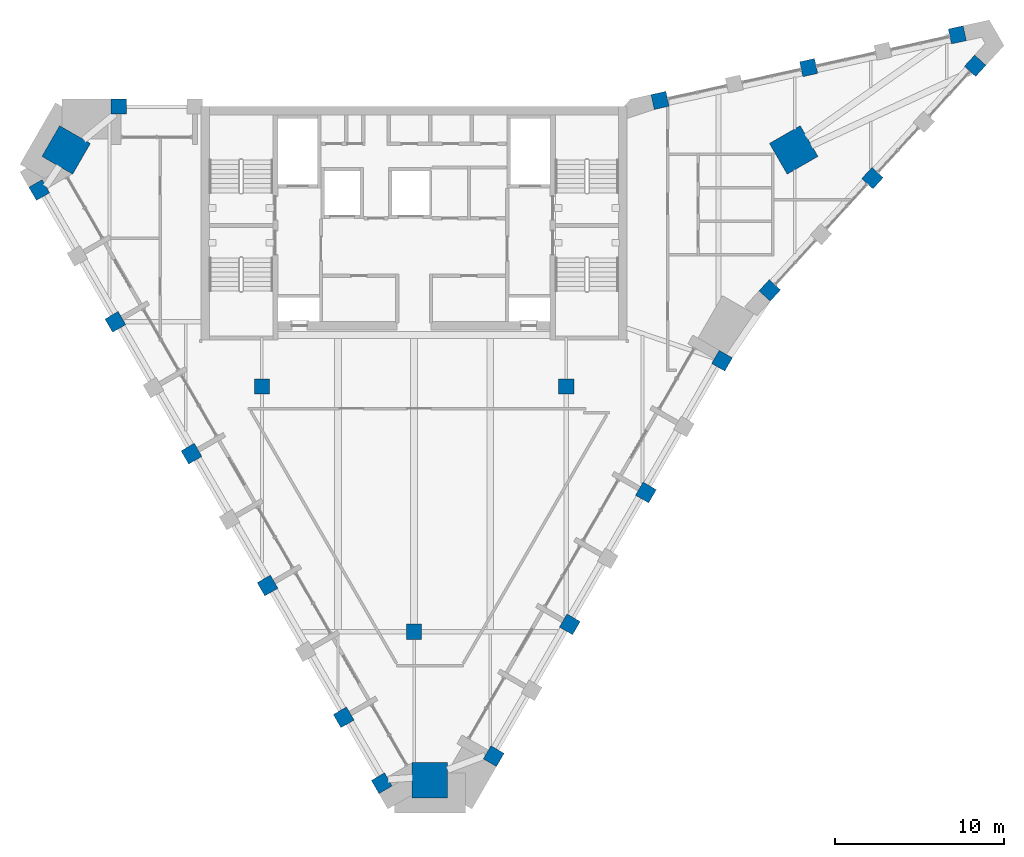
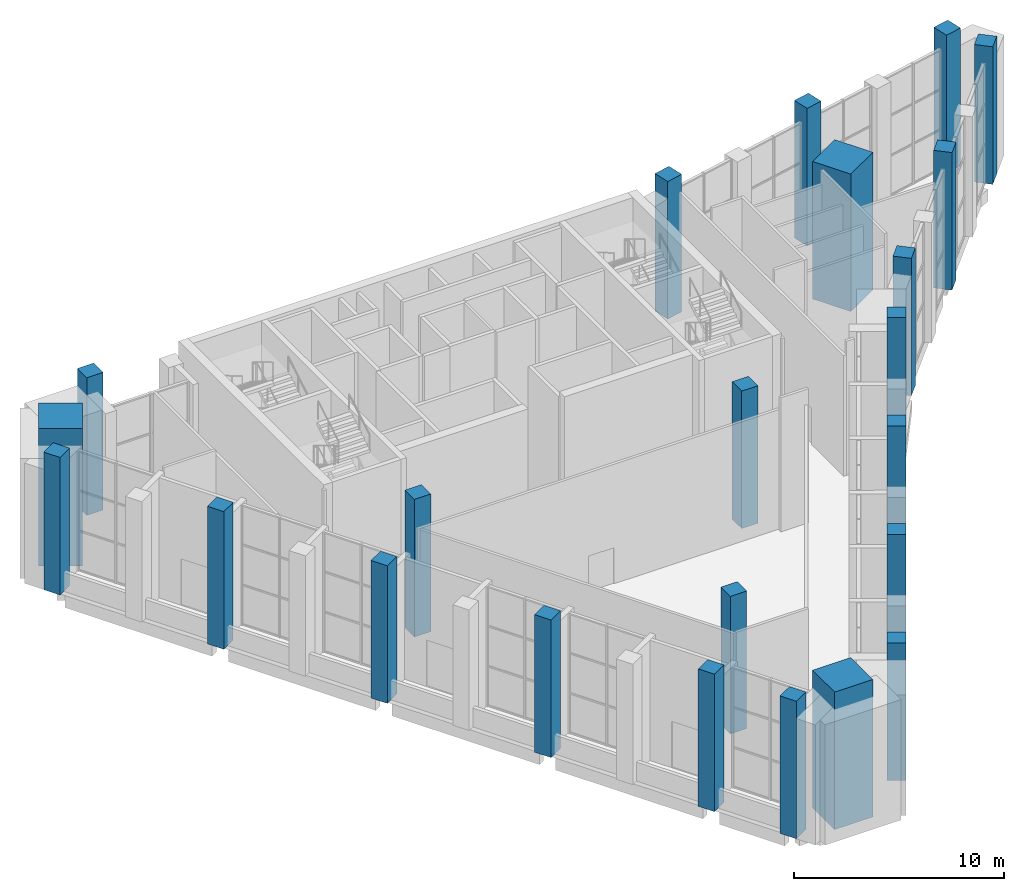
# One storey, part 1 of 16: 23 columns.
"""IFC4 building model written with IfcOpenShell, lengths in metres."""

from ifc_helpers import new_model, si_unit, direction, frame, origin, origin_2d, place, context, subcontext, project, spatial, rectangle, extrude, material, material_profile, profile_set, type_object, element, save


model = new_model("IFC4")

# Units and contexts
model_context = context("Model", 3, precision=1e-05, world=origin(), true_north=direction((0.0, 1.0)))
body_context = subcontext(model_context, "Body", "Model", "MODEL_VIEW")
ifc_project = project(units=[si_unit("LENGTHUNIT", "METRE"), si_unit("AREAUNIT", "SQUARE_METRE"), si_unit("VOLUMEUNIT", "CUBIC_METRE"), si_unit("PLANEANGLEUNIT", "RADIAN"), si_unit("MASSUNIT", "GRAM", prefix="KILO")], contexts=[model_context])

# Site, building, storey
site_placement = place(None, origin())
site = spatial("IfcSite", under=ifc_project, at=site_placement, CompositionType="ELEMENT")
building_placement = place(site_placement, origin())
building = spatial("IfcBuilding", under=site, at=building_placement, Name="Calabash Gate Tower", CompositionType="ELEMENT")
storey_placement = place(building_placement, frame((0.0, 0.0, 302.5)))
storey = spatial("IfcBuildingStorey", under=building, at=storey_placement, Name="L72", CompositionType="ELEMENT", Elevation=302.5)

# Columns
ifc_material_1 = material(Name="Concrete C60/75", Category="concrete")
ifc_material_profile_1 = material_profile(ifc_material_1, rectangle(XDim=0.89990234375, YDim=0.89990234375, at=origin_2d()))
ifc_profile_set_1 = profile_set([ifc_material_profile_1], Name="Concrete C60/75")
column_type_1 = type_object("IfcColumnType", Name="Interior column RC 900x900 Concrete C60/75", PredefinedType="COLUMN", material=ifc_profile_set_1)
for number, where, z_axis, x_axis, name in (
    (1, (-9.0, 2.5, 0.0), (0.0, 0.0, 1.0), (1.0, 0.0, 0.0), "Interior column L72 I0"),
    (2, (9.0, 2.5, 0.0), (0.0, 0.0, 1.0), (1.0, 0.0, 0.0), "Interior column L72 I1"),
    (3, (0.0, -12.0, 0.0), (0.0, 0.0, 1.0), (1.0, 0.0, 0.0), "Interior column L72 I2"),
):
    element("IfcColumn", number, at=place(storey_placement, frame(where, z_axis=z_axis, x_axis=x_axis)), inside=storey, type_object=column_type_1, Name=name, PredefinedType="COLUMN", context=body_context, shape_type="SweptSolid", body=[
        extrude(rectangle(XDim=0.89990234375, YDim=0.89990234375, at=origin_2d()), origin(), (0.0, 0.0, 1.0), 8.0),
    ])
ifc_material_2 = material(Name="Concrete C60/75", Category="concrete")
ifc_material_profile_2 = material_profile(ifc_material_2, rectangle(XDim=2.10009765625, YDim=2.10009765625, at=origin_2d()))
ifc_profile_set_2 = profile_set([ifc_material_profile_2], Name="Concrete C60/75")
column_type_2 = type_object("IfcColumnType", Name="Mega column RC 2100x2100 Concrete C60/75", PredefinedType="COLUMN", material=ifc_profile_set_2)
for number, where, z_axis, x_axis, name in (
    (4, (-20.572998046875, 16.491943359375, 0.0), (0.0, 0.0, 1.0), (0.866025395058, -0.500000015115, 0.0), "Mega column L72 NW"),
    (5, (22.447021484375, 16.491943359375, 0.0), (0.0, 0.0, 1.0), (-0.866025395058, -0.500000015115, 0.0), "Mega column L72 NE"),
    (6, (0.93603515625, -20.76611328125, 0.0), (0.0, 0.0, 1.0), (0.0, 1.0, 0.0), "Mega column L72 S"),
):
    element("IfcColumn", number, at=place(storey_placement, frame(where, z_axis=z_axis, x_axis=x_axis)), inside=storey, type_object=column_type_2, Name=name, PredefinedType="COLUMN", context=body_context, shape_type="SweptSolid", body=[
        extrude(rectangle(XDim=2.10009765625, YDim=2.10009765625, at=origin_2d()), origin(), (0.0, 0.0, 1.0), 8.0),
    ])
ifc_material_3 = material(Name="Concrete C50/60", Category="concrete")
ifc_material_profile_3 = material_profile(ifc_material_3, rectangle(XDim=0.89990234375, YDim=0.89990234375, at=origin_2d()))
ifc_profile_set_3 = profile_set([ifc_material_profile_3], Name="Concrete C50/60")
column_type_3 = type_object("IfcColumnType", Name="Perimeter column RC 900x900 Concrete C50/60", PredefinedType="COLUMN", material=ifc_profile_set_3)
for number, where, z_axis, x_axis, name in (
    (7, (-22.162109375, 14.1201171875, 0.0), (0.0, 0.0, 1.0), (0.500000015115, -0.866025395058, 0.0), "Perimeter column L72 P20"),
    (8, (-17.662109375, 6.325927734375, 0.0), (0.0, 0.0, 1.0), (0.500000015115, -0.866025395058, 0.0), "Perimeter column L72 P00"),
    (9, (-13.162109375, -1.468017578125, 0.0), (0.0, 0.0, 1.0), (0.500000015115, -0.866025395058, 0.0), "Perimeter column L72 P01"),
    (10, (-8.662109375, -9.262939453125, 0.0), (0.0, 0.0, 1.0), (0.500000015115, -0.866025395058, 0.0), "Perimeter column L72 P02"),
    (11, (-4.162109375, -17.056884765625, 0.0), (0.0, 0.0, 1.0), (0.500000015115, -0.866025395058, 0.0), "Perimeter column L72 P03"),
    (12, (-1.912109375, -20.9541015625, 0.0), (0.0, 0.0, 1.0), (0.500000015115, -0.866025395058, 0.0), "Perimeter column L72 P25"),
    (13, (4.7080078125, -19.35302734375, 0.0), (0.0, 0.0, 1.0), (0.499999984885, 0.866025412511, 0.0), "Perimeter column L72 P08"),
    (14, (9.2080078125, -11.55908203125, 0.0), (0.0, 0.0, 1.0), (0.499999984885, 0.866025412511, 0.0), "Perimeter column L72 P09"),
    (15, (13.7080078125, -3.762939453125, 0.0), (0.0, 0.0, 1.0), (0.499999984885, 0.866025412511, 0.0), "Perimeter column L72 P10"),
    (16, (18.2080078125, 4.030029296875, 0.0), (0.0, 0.0, 1.0), (0.499999984885, 0.866025412511, 0.0), "Perimeter column L72 P11"),
    (17, (21.031005859375, 8.18701171875, 0.0), (0.0, 0.0, 1.0), (0.67485604152, 0.737949404244, 0.0), "Perimeter column L72 P12"),
    (18, (27.10400390625, 14.825927734375, 0.0), (0.0, 0.0, 1.0), (0.67485604152, 0.737949404244, 0.0), "Perimeter column L72 P36"),
    (19, (33.177978515625, 21.468017578125, 0.0), (0.0, 0.0, 1.0), (0.67485604152, 0.737949404244, 0.0), "Perimeter column L72 P37"),
    (20, (32.12109375, 23.298095703125, 0.0), (0.0, 0.0, 1.0), (-0.976510951543, -0.215467773731, 0.0), "Perimeter column L72 P38"),
    (21, (23.3330078125, 21.35888671875, 0.0), (0.0, 0.0, 1.0), (-0.976510951543, -0.215467773731, 0.0), "Perimeter column L72 P39"),
    (22, (14.5439453125, 19.4189453125, 0.0), (0.0, 0.0, 1.0), (-0.976510951543, -0.215467773731, 0.0), "Perimeter column L72 P40"),
    (23, (-17.466064453125, 19.052978515625, 0.0), (0.0, 0.0, 1.0), (-1.0, 0.0, 0.0), "Perimeter column L72 P31"),
):
    element("IfcColumn", number, at=place(storey_placement, frame(where, z_axis=z_axis, x_axis=x_axis)), inside=storey, type_object=column_type_3, Name=name, PredefinedType="COLUMN", context=body_context, shape_type="SweptSolid", body=[
        extrude(rectangle(XDim=0.89990234375, YDim=0.89990234375, at=origin_2d()), origin(), (0.0, 0.0, 1.0), 8.0),
    ])

save(model, "model.ifc")
